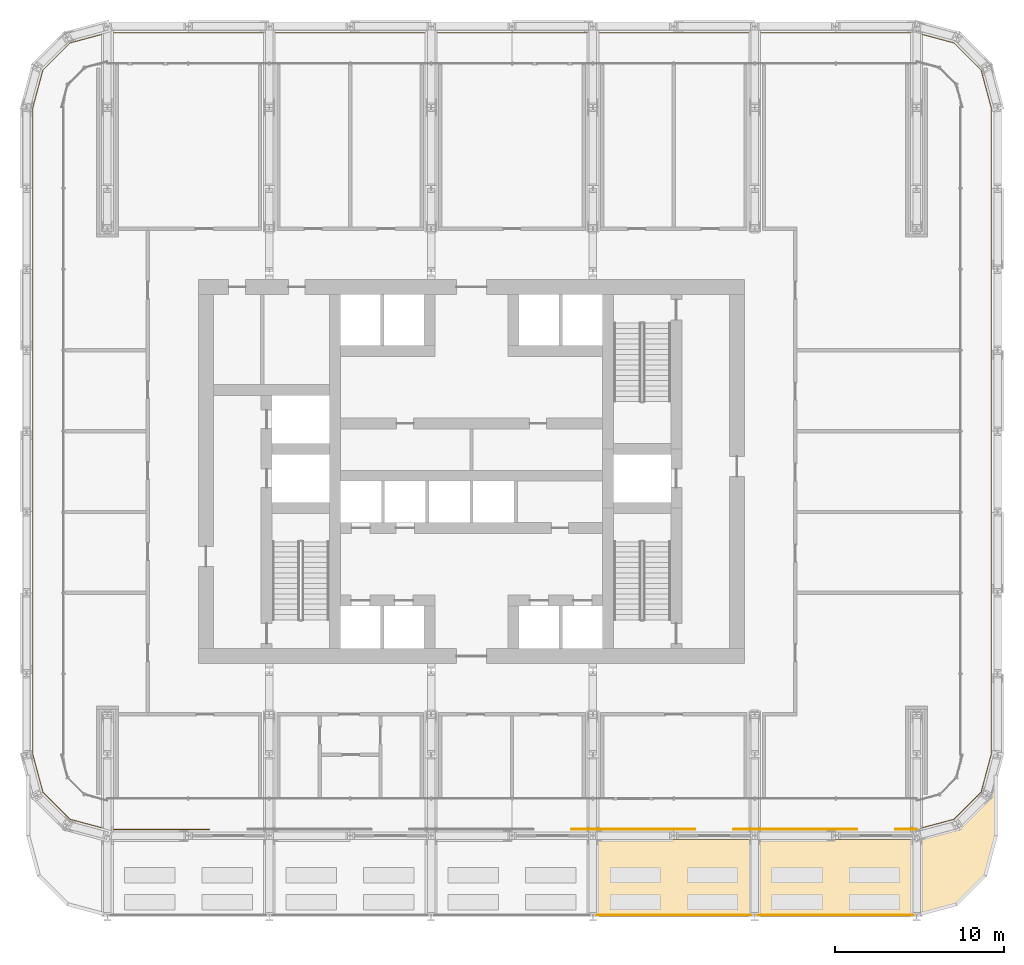
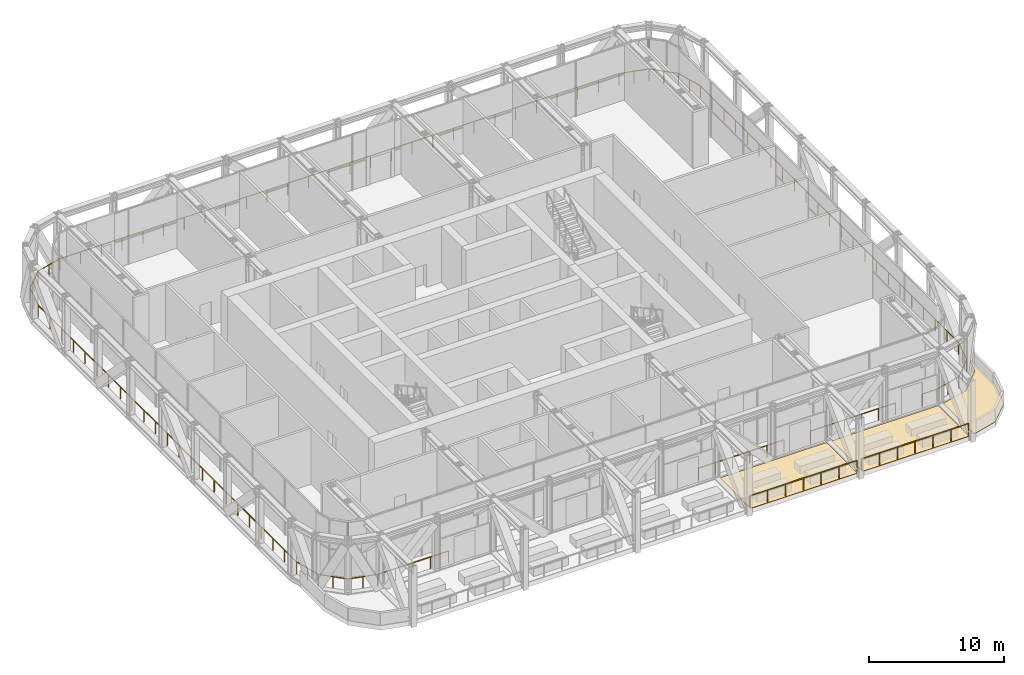
# One storey, part 21 of 23: 6 railings, 3 coverings.
"""IFC4 building model written with IfcOpenShell, lengths in metres."""

from ifc_helpers import new_model, si_unit, direction, frame, origin, origin_2d, place, context, subcontext, project, spatial, polyline, circle, outline, extrude, material, layer, layer_set, type_object, element, save


model = new_model("IFC4")

# Units and contexts
model_context = context("Model", 3, precision=1e-05, world=origin(), true_north=direction((0.0, 1.0)))
body_context = subcontext(model_context, "Body", "Model", "MODEL_VIEW")
ifc_project = project(units=[si_unit("LENGTHUNIT", "METRE"), si_unit("AREAUNIT", "SQUARE_METRE"), si_unit("VOLUMEUNIT", "CUBIC_METRE"), si_unit("PLANEANGLEUNIT", "RADIAN"), si_unit("MASSUNIT", "GRAM", prefix="KILO")], contexts=[model_context])

# Site, building, storey
site_placement = place(None, origin())
site = spatial("IfcSite", under=ifc_project, at=site_placement, CompositionType="ELEMENT")
building_placement = place(site_placement, origin())
building = spatial("IfcBuilding", under=site, at=building_placement, Name="Madar Terraces", CompositionType="ELEMENT")
storey_placement = place(building_placement, frame((0.0, 0.0, 83.800048828125)))
storey = spatial("IfcBuildingStorey", under=building, at=storey_placement, Name="L21", CompositionType="ELEMENT", Elevation=83.800048828125)

# Railings
ifc_material_1 = material(Name="Glass, safety glazing, with stainless steel posts", Category="steel")
railing_type = type_object("IfcRailingType", Name="Balcony glass guard 1100", PredefinedType="GUARDRAIL", material=ifc_material_1)
railing_1_placement = place(storey_placement, frame((57.60009765625, 5.1748046875, 0.0)))
element("IfcRailing", 1, at=railing_1_placement, inside=storey, type_object=railing_type, Name="Gallery guard", PredefinedType="GUARDRAIL", context=body_context, shape_type="SweptSolid", body=[
    extrude(circle(Radius=0.02392578125, at=origin_2d()), frame((0.0, 0.0, 1.076171875), z_axis=(0.96592997208, 0.258803572303, 0.0), x_axis=(-0.258803572303, 0.96592997208, 0.0)), (0.0, 0.0, 1.0), 2.29052734375),
    extrude(circle(Radius=0.02392578125, at=origin_2d()), frame((2.21240234375, 0.5927734375, 1.076171875), z_axis=(0.707106781187, 0.707106781187, 0.0), x_axis=(-0.707106781187, 0.707106781187, 0.0)), (0.0, 0.0, 1.0), 2.290771484375),
    extrude(circle(Radius=0.02392578125, at=origin_2d()), frame((3.832275390625, 2.212646484375, 1.076171875), z_axis=(0.258776928612, 0.965937110385, 0.0), x_axis=(-0.965937110385, 0.258776928612, 0.0)), (0.0, 0.0, 1.0), 2.290771484375),
    extrude(circle(Radius=0.02392578125, at=origin_2d()), frame((4.425048828125, 4.42529296875, 1.076171875), z_axis=(0.0, 1.0, 0.0), x_axis=(-1.0, 0.0, 0.0)), (0.0, 0.0, 1.0), 38.39990234375),
    extrude(circle(Radius=0.02392578125, at=origin_2d()), frame((4.425048828125, 42.8251953125, 1.076171875), z_axis=(-0.258776928612, 0.965937110385, 0.0), x_axis=(-0.965937110385, -0.258776928612, 0.0)), (0.0, 0.0, 1.0), 2.290771484375),
    extrude(circle(Radius=0.02392578125, at=origin_2d()), frame((3.832275390625, 45.037841796875, 1.076171875), z_axis=(-0.707160069312, 0.707053489045, 0.0), x_axis=(-0.707053489045, -0.707160069312, 0.0)), (0.0, 0.0, 1.0), 2.290771484375),
    extrude(circle(Radius=0.02392578125, at=origin_2d()), frame((2.21240234375, 46.657470703125, 1.076171875), z_axis=(-0.96590332136, 0.258903020038, 0.0), x_axis=(-0.258903020038, -0.96590332136, 0.0)), (0.0, 0.0, 1.0), 2.29052734375),
    extrude(circle(Radius=0.02392578125, at=origin_2d()), frame((0.0, 47.25048828125, 1.076171875), z_axis=(-1.0, 0.0, 0.0), x_axis=(0.0, -1.0, 0.0)), (0.0, 0.0, 1.0), 48.0),
    extrude(circle(Radius=0.02392578125, at=origin_2d()), frame((-48.0, 47.25048828125, 1.076171875), z_axis=(-0.965910464955, -0.25887636758, 0.0), x_axis=(0.25887636758, -0.965910464955, 0.0)), (0.0, 0.0, 1.0), 2.290771484375),
    extrude(circle(Radius=0.02392578125, at=origin_2d()), frame((-50.212646484375, 46.657470703125, 1.076171875), z_axis=(-0.707160069312, -0.707053489045, 0.0), x_axis=(0.707053489045, -0.707160069312, 0.0)), (0.0, 0.0, 1.0), 2.290771484375),
    extrude(circle(Radius=0.02392578125, at=origin_2d()), frame((-51.83251953125, 45.037841796875, 1.076171875), z_axis=(-0.258776928612, -0.965937110385, 0.0), x_axis=(0.965937110385, -0.258776928612, 0.0)), (0.0, 0.0, 1.0), 2.290771484375),
    extrude(circle(Radius=0.02392578125, at=origin_2d()), frame((-52.42529296875, 42.8251953125, 1.076171875), z_axis=(0.0, -1.0, 0.0), x_axis=(1.0, 0.0, 0.0)), (0.0, 0.0, 1.0), 38.39990234375),
    extrude(circle(Radius=0.02392578125, at=origin_2d()), frame((-52.42529296875, 4.42529296875, 1.076171875), z_axis=(0.258776928612, -0.965937110385, 0.0), x_axis=(0.965937110385, 0.258776928612, 0.0)), (0.0, 0.0, 1.0), 2.290771484375),
    extrude(circle(Radius=0.02392578125, at=origin_2d()), frame((-51.83251953125, 2.212646484375, 1.076171875), z_axis=(0.707106781187, -0.707106781187, 0.0), x_axis=(0.707106781187, 0.707106781187, 0.0)), (0.0, 0.0, 1.0), 2.290771484375),
    extrude(circle(Radius=0.02392578125, at=origin_2d()), frame((-50.212646484375, 0.5927734375, 1.076171875), z_axis=(0.965937110385, -0.258776928612, 0.0), x_axis=(0.258776928612, 0.965937110385, 0.0)), (0.0, 0.0, 1.0), 2.290771484375),
    extrude(circle(Radius=0.02392578125, at=origin_2d()), frame((-48.0, 0.0, 1.076171875), z_axis=(1.0, 0.0, 0.0), x_axis=(0.0, 1.0, 0.0)), (0.0, 0.0, 1.0), 6.06103515625),
    extrude(circle(Radius=0.02099609375, at=origin_2d()), origin(), (0.0, 0.0, 1.0), 1.052001953125),
    extrude(circle(Radius=0.02099609375, at=origin_2d()), frame((1.106201171875, 0.29638671875, 0.0)), (0.0, 0.0, 1.0), 1.052001953125),
    extrude(circle(Radius=0.02099609375, at=origin_2d()), frame((2.21240234375, 0.5927734375, 0.0)), (0.0, 0.0, 1.0), 1.052001953125),
    extrude(circle(Radius=0.02099609375, at=origin_2d()), frame((3.0224609375, 1.40283203125, 0.0)), (0.0, 0.0, 1.0), 1.052001953125),
    extrude(circle(Radius=0.02099609375, at=origin_2d()), frame((3.832275390625, 2.212646484375, 0.0)), (0.0, 0.0, 1.0), 1.052001953125),
    extrude(circle(Radius=0.02099609375, at=origin_2d()), frame((4.128662109375, 3.31884765625, 0.0)), (0.0, 0.0, 1.0), 1.052001953125),
    extrude(circle(Radius=0.02099609375, at=origin_2d()), frame((4.425048828125, 4.42529296875, 0.0)), (0.0, 0.0, 1.0), 1.052001953125),
    extrude(circle(Radius=0.02099609375, at=origin_2d()), frame((4.425048828125, 6.170654296875, 0.0)), (0.0, 0.0, 1.0), 1.052001953125),
    extrude(circle(Radius=0.02099609375, at=origin_2d()), frame((4.425048828125, 7.916259765625, 0.0)), (0.0, 0.0, 1.0), 1.052001953125),
    extrude(circle(Radius=0.02099609375, at=origin_2d()), frame((4.425048828125, 9.66162109375, 0.0)), (0.0, 0.0, 1.0), 1.052001953125),
    extrude(circle(Radius=0.02099609375, at=origin_2d()), frame((4.425048828125, 11.406982421875, 0.0)), (0.0, 0.0, 1.0), 1.052001953125),
    extrude(circle(Radius=0.02099609375, at=origin_2d()), frame((4.425048828125, 13.152587890625, 0.0)), (0.0, 0.0, 1.0), 1.052001953125),
    extrude(circle(Radius=0.02099609375, at=origin_2d()), frame((4.425048828125, 14.89794921875, 0.0)), (0.0, 0.0, 1.0), 1.052001953125),
    extrude(circle(Radius=0.02099609375, at=origin_2d()), frame((4.425048828125, 16.6435546875, 0.0)), (0.0, 0.0, 1.0), 1.052001953125),
    extrude(circle(Radius=0.02099609375, at=origin_2d()), frame((4.425048828125, 18.388916015625, 0.0)), (0.0, 0.0, 1.0), 1.052001953125),
    extrude(circle(Radius=0.02099609375, at=origin_2d()), frame((4.425048828125, 20.13427734375, 0.0)), (0.0, 0.0, 1.0), 1.052001953125),
    extrude(circle(Radius=0.02099609375, at=origin_2d()), frame((4.425048828125, 21.8798828125, 0.0)), (0.0, 0.0, 1.0), 1.052001953125),
    extrude(circle(Radius=0.02099609375, at=origin_2d()), frame((4.425048828125, 23.625244140625, 0.0)), (0.0, 0.0, 1.0), 1.052001953125),
    extrude(circle(Radius=0.02099609375, at=origin_2d()), frame((4.425048828125, 25.37060546875, 0.0)), (0.0, 0.0, 1.0), 1.052001953125),
    extrude(circle(Radius=0.02099609375, at=origin_2d()), frame((4.425048828125, 27.1162109375, 0.0)), (0.0, 0.0, 1.0), 1.052001953125),
    extrude(circle(Radius=0.02099609375, at=origin_2d()), frame((4.425048828125, 28.861572265625, 0.0)), (0.0, 0.0, 1.0), 1.052001953125),
    extrude(circle(Radius=0.02099609375, at=origin_2d()), frame((4.425048828125, 30.60693359375, 0.0)), (0.0, 0.0, 1.0), 1.052001953125),
    extrude(circle(Radius=0.02099609375, at=origin_2d()), frame((4.425048828125, 32.3525390625, 0.0)), (0.0, 0.0, 1.0), 1.052001953125),
    extrude(circle(Radius=0.02099609375, at=origin_2d()), frame((4.425048828125, 34.097900390625, 0.0)), (0.0, 0.0, 1.0), 1.052001953125),
    extrude(circle(Radius=0.02099609375, at=origin_2d()), frame((4.425048828125, 35.843505859375, 0.0)), (0.0, 0.0, 1.0), 1.052001953125),
    extrude(circle(Radius=0.02099609375, at=origin_2d()), frame((4.425048828125, 37.5888671875, 0.0)), (0.0, 0.0, 1.0), 1.052001953125),
    extrude(circle(Radius=0.02099609375, at=origin_2d()), frame((4.425048828125, 39.334228515625, 0.0)), (0.0, 0.0, 1.0), 1.052001953125),
    extrude(circle(Radius=0.02099609375, at=origin_2d()), frame((4.425048828125, 41.079833984375, 0.0)), (0.0, 0.0, 1.0), 1.052001953125),
    extrude(circle(Radius=0.02099609375, at=origin_2d()), frame((4.425048828125, 42.8251953125, 0.0)), (0.0, 0.0, 1.0), 1.052001953125),
    extrude(circle(Radius=0.02099609375, at=origin_2d()), frame((4.128662109375, 43.931640625, 0.0)), (0.0, 0.0, 1.0), 1.052001953125),
    extrude(circle(Radius=0.02099609375, at=origin_2d()), frame((3.832275390625, 45.037841796875, 0.0)), (0.0, 0.0, 1.0), 1.052001953125),
    extrude(circle(Radius=0.02099609375, at=origin_2d()), frame((3.0224609375, 45.84765625, 0.0)), (0.0, 0.0, 1.0), 1.052001953125),
    extrude(circle(Radius=0.02099609375, at=origin_2d()), frame((2.21240234375, 46.657470703125, 0.0)), (0.0, 0.0, 1.0), 1.052001953125),
    extrude(circle(Radius=0.02099609375, at=origin_2d()), frame((1.106201171875, 46.9541015625, 0.0)), (0.0, 0.0, 1.0), 1.052001953125),
    extrude(circle(Radius=0.02099609375, at=origin_2d()), frame((0.0, 47.25048828125, 0.0)), (0.0, 0.0, 1.0), 1.052001953125),
    extrude(circle(Radius=0.02099609375, at=origin_2d()), frame((-1.77783203125, 47.25048828125, 0.0)), (0.0, 0.0, 1.0), 1.052001953125),
    extrude(circle(Radius=0.02099609375, at=origin_2d()), frame((-3.5556640625, 47.25048828125, 0.0)), (0.0, 0.0, 1.0), 1.052001953125),
    extrude(circle(Radius=0.02099609375, at=origin_2d()), frame((-5.333251953125, 47.25048828125, 0.0)), (0.0, 0.0, 1.0), 1.052001953125),
    extrude(circle(Radius=0.02099609375, at=origin_2d()), frame((-7.111083984375, 47.25048828125, 0.0)), (0.0, 0.0, 1.0), 1.052001953125),
    extrude(circle(Radius=0.02099609375, at=origin_2d()), frame((-8.888916015625, 47.25048828125, 0.0)), (0.0, 0.0, 1.0), 1.052001953125),
    extrude(circle(Radius=0.02099609375, at=origin_2d()), frame((-10.666748046875, 47.25048828125, 0.0)), (0.0, 0.0, 1.0), 1.052001953125),
    extrude(circle(Radius=0.02099609375, at=origin_2d()), frame((-12.4443359375, 47.25048828125, 0.0)), (0.0, 0.0, 1.0), 1.052001953125),
    extrude(circle(Radius=0.02099609375, at=origin_2d()), frame((-14.22216796875, 47.25048828125, 0.0)), (0.0, 0.0, 1.0), 1.052001953125),
    extrude(circle(Radius=0.02099609375, at=origin_2d()), frame((-16.0, 47.25048828125, 0.0)), (0.0, 0.0, 1.0), 1.052001953125),
    extrude(circle(Radius=0.02099609375, at=origin_2d()), frame((-17.77783203125, 47.25048828125, 0.0)), (0.0, 0.0, 1.0), 1.052001953125),
    extrude(circle(Radius=0.02099609375, at=origin_2d()), frame((-19.5556640625, 47.25048828125, 0.0)), (0.0, 0.0, 1.0), 1.052001953125),
    extrude(circle(Radius=0.02099609375, at=origin_2d()), frame((-21.333251953125, 47.25048828125, 0.0)), (0.0, 0.0, 1.0), 1.052001953125),
    extrude(circle(Radius=0.02099609375, at=origin_2d()), frame((-23.111083984375, 47.25048828125, 0.0)), (0.0, 0.0, 1.0), 1.052001953125),
    extrude(circle(Radius=0.02099609375, at=origin_2d()), frame((-24.888916015625, 47.25048828125, 0.0)), (0.0, 0.0, 1.0), 1.052001953125),
    extrude(circle(Radius=0.02099609375, at=origin_2d()), frame((-26.666748046875, 47.25048828125, 0.0)), (0.0, 0.0, 1.0), 1.052001953125),
    extrude(circle(Radius=0.02099609375, at=origin_2d()), frame((-28.4443359375, 47.25048828125, 0.0)), (0.0, 0.0, 1.0), 1.052001953125),
    extrude(circle(Radius=0.02099609375, at=origin_2d()), frame((-30.22216796875, 47.25048828125, 0.0)), (0.0, 0.0, 1.0), 1.052001953125),
    extrude(circle(Radius=0.02099609375, at=origin_2d()), frame((-32.0, 47.25048828125, 0.0)), (0.0, 0.0, 1.0), 1.052001953125),
    extrude(circle(Radius=0.02099609375, at=origin_2d()), frame((-33.77783203125, 47.25048828125, 0.0)), (0.0, 0.0, 1.0), 1.052001953125),
    extrude(circle(Radius=0.02099609375, at=origin_2d()), frame((-35.5556640625, 47.25048828125, 0.0)), (0.0, 0.0, 1.0), 1.052001953125),
    extrude(circle(Radius=0.02099609375, at=origin_2d()), frame((-37.333251953125, 47.25048828125, 0.0)), (0.0, 0.0, 1.0), 1.052001953125),
    extrude(circle(Radius=0.02099609375, at=origin_2d()), frame((-39.111083984375, 47.25048828125, 0.0)), (0.0, 0.0, 1.0), 1.052001953125),
    extrude(circle(Radius=0.02099609375, at=origin_2d()), frame((-40.888916015625, 47.25048828125, 0.0)), (0.0, 0.0, 1.0), 1.052001953125),
    extrude(circle(Radius=0.02099609375, at=origin_2d()), frame((-42.666748046875, 47.25048828125, 0.0)), (0.0, 0.0, 1.0), 1.052001953125),
    extrude(circle(Radius=0.02099609375, at=origin_2d()), frame((-44.4443359375, 47.25048828125, 0.0)), (0.0, 0.0, 1.0), 1.052001953125),
    extrude(circle(Radius=0.02099609375, at=origin_2d()), frame((-46.22216796875, 47.25048828125, 0.0)), (0.0, 0.0, 1.0), 1.052001953125),
    extrude(circle(Radius=0.02099609375, at=origin_2d()), frame((-48.0, 47.25048828125, 0.0)), (0.0, 0.0, 1.0), 1.052001953125),
    extrude(circle(Radius=0.02099609375, at=origin_2d()), frame((-49.1064453125, 46.9541015625, 0.0)), (0.0, 0.0, 1.0), 1.052001953125),
    extrude(circle(Radius=0.02099609375, at=origin_2d()), frame((-50.212646484375, 46.657470703125, 0.0)), (0.0, 0.0, 1.0), 1.052001953125),
    extrude(circle(Radius=0.02099609375, at=origin_2d()), frame((-51.0224609375, 45.84765625, 0.0)), (0.0, 0.0, 1.0), 1.052001953125),
    extrude(circle(Radius=0.02099609375, at=origin_2d()), frame((-51.83251953125, 45.037841796875, 0.0)), (0.0, 0.0, 1.0), 1.052001953125),
    extrude(circle(Radius=0.02099609375, at=origin_2d()), frame((-52.12890625, 43.931640625, 0.0)), (0.0, 0.0, 1.0), 1.052001953125),
    extrude(circle(Radius=0.02099609375, at=origin_2d()), frame((-52.42529296875, 42.8251953125, 0.0)), (0.0, 0.0, 1.0), 1.052001953125),
    extrude(circle(Radius=0.02099609375, at=origin_2d()), frame((-52.42529296875, 41.079833984375, 0.0)), (0.0, 0.0, 1.0), 1.052001953125),
    extrude(circle(Radius=0.02099609375, at=origin_2d()), frame((-52.42529296875, 39.334228515625, 0.0)), (0.0, 0.0, 1.0), 1.052001953125),
    extrude(circle(Radius=0.02099609375, at=origin_2d()), frame((-52.42529296875, 37.5888671875, 0.0)), (0.0, 0.0, 1.0), 1.052001953125),
    extrude(circle(Radius=0.02099609375, at=origin_2d()), frame((-52.42529296875, 35.843505859375, 0.0)), (0.0, 0.0, 1.0), 1.052001953125),
    extrude(circle(Radius=0.02099609375, at=origin_2d()), frame((-52.42529296875, 34.097900390625, 0.0)), (0.0, 0.0, 1.0), 1.052001953125),
    extrude(circle(Radius=0.02099609375, at=origin_2d()), frame((-52.42529296875, 32.3525390625, 0.0)), (0.0, 0.0, 1.0), 1.052001953125),
    extrude(circle(Radius=0.02099609375, at=origin_2d()), frame((-52.42529296875, 30.60693359375, 0.0)), (0.0, 0.0, 1.0), 1.052001953125),
    extrude(circle(Radius=0.02099609375, at=origin_2d()), frame((-52.42529296875, 28.861572265625, 0.0)), (0.0, 0.0, 1.0), 1.052001953125),
    extrude(circle(Radius=0.02099609375, at=origin_2d()), frame((-52.42529296875, 27.1162109375, 0.0)), (0.0, 0.0, 1.0), 1.052001953125),
    extrude(circle(Radius=0.02099609375, at=origin_2d()), frame((-52.42529296875, 25.37060546875, 0.0)), (0.0, 0.0, 1.0), 1.052001953125),
    extrude(circle(Radius=0.02099609375, at=origin_2d()), frame((-52.42529296875, 23.625244140625, 0.0)), (0.0, 0.0, 1.0), 1.052001953125),
    extrude(circle(Radius=0.02099609375, at=origin_2d()), frame((-52.42529296875, 21.8798828125, 0.0)), (0.0, 0.0, 1.0), 1.052001953125),
    extrude(circle(Radius=0.02099609375, at=origin_2d()), frame((-52.42529296875, 20.13427734375, 0.0)), (0.0, 0.0, 1.0), 1.052001953125),
    extrude(circle(Radius=0.02099609375, at=origin_2d()), frame((-52.42529296875, 18.388916015625, 0.0)), (0.0, 0.0, 1.0), 1.052001953125),
    extrude(circle(Radius=0.02099609375, at=origin_2d()), frame((-52.42529296875, 16.6435546875, 0.0)), (0.0, 0.0, 1.0), 1.052001953125),
    extrude(circle(Radius=0.02099609375, at=origin_2d()), frame((-52.42529296875, 14.89794921875, 0.0)), (0.0, 0.0, 1.0), 1.052001953125),
    extrude(circle(Radius=0.02099609375, at=origin_2d()), frame((-52.42529296875, 13.152587890625, 0.0)), (0.0, 0.0, 1.0), 1.052001953125),
    extrude(circle(Radius=0.02099609375, at=origin_2d()), frame((-52.42529296875, 11.406982421875, 0.0)), (0.0, 0.0, 1.0), 1.052001953125),
    extrude(circle(Radius=0.02099609375, at=origin_2d()), frame((-52.42529296875, 9.66162109375, 0.0)), (0.0, 0.0, 1.0), 1.052001953125),
    extrude(circle(Radius=0.02099609375, at=origin_2d()), frame((-52.42529296875, 7.916259765625, 0.0)), (0.0, 0.0, 1.0), 1.052001953125),
    extrude(circle(Radius=0.02099609375, at=origin_2d()), frame((-52.42529296875, 6.170654296875, 0.0)), (0.0, 0.0, 1.0), 1.052001953125),
    extrude(circle(Radius=0.02099609375, at=origin_2d()), frame((-52.42529296875, 4.42529296875, 0.0)), (0.0, 0.0, 1.0), 1.052001953125),
    extrude(circle(Radius=0.02099609375, at=origin_2d()), frame((-52.12890625, 3.31884765625, 0.0)), (0.0, 0.0, 1.0), 1.052001953125),
    extrude(circle(Radius=0.02099609375, at=origin_2d()), frame((-51.83251953125, 2.212646484375, 0.0)), (0.0, 0.0, 1.0), 1.052001953125),
    extrude(circle(Radius=0.02099609375, at=origin_2d()), frame((-51.0224609375, 1.40283203125, 0.0)), (0.0, 0.0, 1.0), 1.052001953125),
    extrude(circle(Radius=0.02099609375, at=origin_2d()), frame((-50.212646484375, 0.5927734375, 0.0)), (0.0, 0.0, 1.0), 1.052001953125),
    extrude(circle(Radius=0.02099609375, at=origin_2d()), frame((-49.1064453125, 0.29638671875, 0.0)), (0.0, 0.0, 1.0), 1.052001953125),
    extrude(circle(Radius=0.02099609375, at=origin_2d()), frame((-48.0, 0.0, 0.0)), (0.0, 0.0, 1.0), 1.052001953125),
    extrude(circle(Radius=0.02099609375, at=origin_2d()), frame((-46.48486328125, 0.0, 0.0)), (0.0, 0.0, 1.0), 1.052001953125),
    extrude(circle(Radius=0.02099609375, at=origin_2d()), frame((-44.969482421875, 0.0, 0.0)), (0.0, 0.0, 1.0), 1.052001953125),
    extrude(circle(Radius=0.02099609375, at=origin_2d()), frame((-43.4541015625, 0.0, 0.0)), (0.0, 0.0, 1.0), 1.052001953125),
    extrude(circle(Radius=0.02099609375, at=origin_2d()), frame((-41.93896484375, 0.0, 0.0)), (0.0, 0.0, 1.0), 1.052001953125),
])
railing_2_placement = place(storey_placement, frame((37.138916015625, 5.1748046875, 0.0)))
element("IfcRailing", 2, at=railing_2_placement, inside=storey, type_object=railing_type, Name="Gallery guard", PredefinedType="GUARDRAIL", context=body_context, shape_type="SweptSolid", body=[
    extrude(circle(Radius=0.02392578125, at=origin_2d()), frame((0.0, 0.0, 1.076171875), z_axis=(1.0, 0.0, 0.0), x_axis=(0.0, 1.0, 0.0)), (0.0, 0.0, 1.0), 7.322265625),
    extrude(circle(Radius=0.02099609375, at=origin_2d()), origin(), (0.0, 0.0, 1.0), 1.052001953125),
    extrude(circle(Radius=0.02099609375, at=origin_2d()), frame((1.46435546875, 0.0, 0.0)), (0.0, 0.0, 1.0), 1.052001953125),
    extrude(circle(Radius=0.02099609375, at=origin_2d()), frame((2.928955078125, 0.0, 0.0)), (0.0, 0.0, 1.0), 1.052001953125),
    extrude(circle(Radius=0.02099609375, at=origin_2d()), frame((4.393310546875, 0.0, 0.0)), (0.0, 0.0, 1.0), 1.052001953125),
    extrude(circle(Radius=0.02099609375, at=origin_2d()), frame((5.85791015625, 0.0, 0.0)), (0.0, 0.0, 1.0), 1.052001953125),
    extrude(circle(Radius=0.02099609375, at=origin_2d()), frame((7.322265625, 0.0, 0.0)), (0.0, 0.0, 1.0), 1.052001953125),
])
railing_3_placement = place(storey_placement, frame((46.739013671875, 5.1748046875, 0.0)))
element("IfcRailing", 3, at=railing_3_placement, inside=storey, type_object=railing_type, Name="Gallery guard", PredefinedType="GUARDRAIL", context=body_context, shape_type="SweptSolid", body=[
    extrude(circle(Radius=0.02392578125, at=origin_2d()), frame((0.0, 0.0, 1.076171875), z_axis=(1.0, 0.0, 0.0), x_axis=(0.0, 1.0, 0.0)), (0.0, 0.0, 1.0), 7.322021484375),
    extrude(circle(Radius=0.02099609375, at=origin_2d()), origin(), (0.0, 0.0, 1.0), 1.052001953125),
    extrude(circle(Radius=0.02099609375, at=origin_2d()), frame((1.46435546875, 0.0, 0.0)), (0.0, 0.0, 1.0), 1.052001953125),
    extrude(circle(Radius=0.02099609375, at=origin_2d()), frame((2.9287109375, 0.0, 0.0)), (0.0, 0.0, 1.0), 1.052001953125),
    extrude(circle(Radius=0.02099609375, at=origin_2d()), frame((4.393310546875, 0.0, 0.0)), (0.0, 0.0, 1.0), 1.052001953125),
    extrude(circle(Radius=0.02099609375, at=origin_2d()), frame((5.857666015625, 0.0, 0.0)), (0.0, 0.0, 1.0), 1.052001953125),
    extrude(circle(Radius=0.02099609375, at=origin_2d()), frame((7.322021484375, 0.0, 0.0)), (0.0, 0.0, 1.0), 1.052001953125),
])
railing_4_placement = place(storey_placement, frame((56.3388671875, 5.1748046875, 0.0)))
element("IfcRailing", 4, at=railing_4_placement, inside=storey, type_object=railing_type, Name="Gallery guard", PredefinedType="GUARDRAIL", context=body_context, shape_type="SweptSolid", body=[
    extrude(circle(Radius=0.02392578125, at=origin_2d()), frame((0.0, 0.0, 1.076171875), z_axis=(1.0, 0.0, 0.0), x_axis=(0.0, 1.0, 0.0)), (0.0, 0.0, 1.0), 1.26123046875),
    extrude(circle(Radius=0.02099609375, at=origin_2d()), origin(), (0.0, 0.0, 1.0), 1.052001953125),
    extrude(circle(Radius=0.02099609375, at=origin_2d()), frame((1.26123046875, 0.0, 0.0)), (0.0, 0.0, 1.0), 1.052001953125),
])
for number, where, name in (
    (5, (38.604736328125, 0.10009765625, 0.0400390625), "Terrace guard"),
    (6, (48.204833984375, 0.10009765625, 0.0400390625), "Terrace guard"),
):
    element("IfcRailing", number, at=place(storey_placement, frame(where)), inside=storey, type_object=railing_type, Name=name, PredefinedType="GUARDRAIL", context=body_context, shape_type="SweptSolid", body=[
        extrude(circle(Radius=0.02392578125, at=origin_2d()), frame((0.0, 0.0, 1.076171875), z_axis=(1.0, 0.0, 0.0), x_axis=(0.0, 1.0, 0.0)), (0.0, 0.0, 1.0), 9.1904296875),
        extrude(circle(Radius=0.02099609375, at=origin_2d()), origin(), (0.0, 0.0, 1.0), 1.052001953125),
        extrude(circle(Radius=0.02099609375, at=origin_2d()), frame((1.53173828125, 0.0, 0.0)), (0.0, 0.0, 1.0), 1.052001953125),
        extrude(circle(Radius=0.02099609375, at=origin_2d()), frame((3.0634765625, 0.0, 0.0)), (0.0, 0.0, 1.0), 1.052001953125),
        extrude(circle(Radius=0.02099609375, at=origin_2d()), frame((4.59521484375, 0.0, 0.0)), (0.0, 0.0, 1.0), 1.052001953125),
        extrude(circle(Radius=0.02099609375, at=origin_2d()), frame((6.126953125, 0.0, 0.0)), (0.0, 0.0, 1.0), 1.052001953125),
        extrude(circle(Radius=0.02099609375, at=origin_2d()), frame((7.65869140625, 0.0, 0.0)), (0.0, 0.0, 1.0), 1.052001953125),
        extrude(circle(Radius=0.02099609375, at=origin_2d()), frame((9.1904296875, 0.0, 0.0)), (0.0, 0.0, 1.0), 1.052001953125),
    ])

# Coverings
ifc_material_2 = material(Name="Porcelain paving slabs on pedestals")
ifc_layer = layer(ifc_material_2, 0.0400390625)
ifc_layer_set = layer_set([ifc_layer], Name="Terrace paving 40")
covering_type = type_object("IfcCoveringType", Name="Terrace paving 40", PredefinedType="FLOORING", material=ifc_layer_set)
covering_1_placement = place(storey_placement, origin())
element("IfcCovering", 7, at=covering_1_placement, inside=storey, type_object=covering_type, Name="Terrace paving", PredefinedType="FLOORING", context=body_context, shape_type="SweptSolid", body=[
    extrude(outline(polyline([(38.660400390625, 0.002197265625), (38.65576171875, 0.00390625), (38.651123046875, 0.005859375), (38.64697265625, 0.00830078125), (38.64306640625, 0.01123046875), (38.639404296875, 0.0146484375), (38.635986328125, 0.018310546875), (38.63330078125, 0.022216796875), (38.630615234375, 0.0263671875), (38.628662109375, 0.031005859375), (38.626953125, 0.035400390625), (38.625732421875, 0.040283203125), (38.625, 0.045166015625), (38.624755859375, 0.050048828125), (38.624755859375, 4.525146484375), (38.625, 4.530029296875), (38.625732421875, 4.534912109375), (38.626953125, 4.539794921875), (38.628662109375, 4.544189453125), (38.630615234375, 4.548828125), (38.63330078125, 4.552978515625), (38.635986328125, 4.556884765625), (38.639404296875, 4.560546875), (38.64306640625, 4.56396484375), (38.64697265625, 4.56689453125), (38.651123046875, 4.5693359375), (38.65576171875, 4.5712890625), (38.660400390625, 4.572998046875), (38.6650390625, 4.57421875), (38.669921875, 4.574951171875), (38.6748046875, 4.5751953125), (47.72509765625, 4.5751953125), (47.72998046875, 4.574951171875), (47.735107421875, 4.57421875), (47.73974609375, 4.572998046875), (47.744384765625, 4.5712890625), (47.748779296875, 4.5693359375), (47.7529296875, 4.56689453125), (47.7568359375, 4.56396484375), (47.760498046875, 4.560546875), (47.763916015625, 4.556884765625), (47.766845703125, 4.552978515625), (47.769287109375, 4.548828125), (47.771484375, 4.544189453125), (47.773193359375, 4.539794921875), (47.774169921875, 4.534912109375), (47.77490234375, 4.530029296875), (47.775146484375, 4.525146484375), (47.775146484375, 0.050048828125), (47.77490234375, 0.045166015625), (47.774169921875, 0.040283203125), (47.773193359375, 0.035400390625), (47.771484375, 0.031005859375), (47.769287109375, 0.0263671875), (47.766845703125, 0.022216796875), (47.763916015625, 0.018310546875), (47.760498046875, 0.0146484375), (47.7568359375, 0.01123046875), (47.7529296875, 0.00830078125), (47.748779296875, 0.005859375), (47.744384765625, 0.00390625), (47.73974609375, 0.002197265625), (47.735107421875, 0.0009765625), (47.72998046875, 0.000244140625), (47.72509765625, 0.0), (38.6748046875, 0.0), (38.669921875, 0.000244140625), (38.6650390625, 0.0009765625), (38.660400390625, 0.002197265625)])), origin(), (0.0, 0.0, 1.0), 0.0400390625),
])
covering_2_placement = place(storey_placement, origin())
element("IfcCovering", 8, at=covering_2_placement, inside=storey, type_object=covering_type, Name="Terrace paving", PredefinedType="FLOORING", context=body_context, shape_type="SweptSolid", body=[
    extrude(outline(polyline([(48.26025390625, 0.002197265625), (48.255615234375, 0.00390625), (48.251220703125, 0.005859375), (48.2470703125, 0.00830078125), (48.2431640625, 0.01123046875), (48.239501953125, 0.0146484375), (48.236083984375, 0.018310546875), (48.233154296875, 0.022216796875), (48.230712890625, 0.0263671875), (48.228515625, 0.031005859375), (48.226806640625, 0.035400390625), (48.225830078125, 0.040283203125), (48.22509765625, 0.045166015625), (48.224853515625, 0.050048828125), (48.224853515625, 4.525146484375), (48.22509765625, 4.530029296875), (48.225830078125, 4.534912109375), (48.226806640625, 4.539794921875), (48.228515625, 4.544189453125), (48.230712890625, 4.548828125), (48.233154296875, 4.552978515625), (48.236083984375, 4.556884765625), (48.239501953125, 4.560546875), (48.2431640625, 4.56396484375), (48.2470703125, 4.56689453125), (48.251220703125, 4.5693359375), (48.255615234375, 4.5712890625), (48.26025390625, 4.572998046875), (48.264892578125, 4.57421875), (48.27001953125, 4.574951171875), (48.27490234375, 4.5751953125), (57.3251953125, 4.5751953125), (57.330078125, 4.574951171875), (57.3349609375, 4.57421875), (57.339599609375, 4.572998046875), (57.34423828125, 4.5712890625), (57.348876953125, 4.5693359375), (57.35302734375, 4.56689453125), (57.35693359375, 4.56396484375), (57.360595703125, 4.560546875), (57.364013671875, 4.556884765625), (57.36669921875, 4.552978515625), (57.369384765625, 4.548828125), (57.371337890625, 4.544189453125), (57.373046875, 4.539794921875), (57.374267578125, 4.534912109375), (57.375, 4.530029296875), (57.375244140625, 4.525146484375), (57.375244140625, 0.050048828125), (57.375, 0.045166015625), (57.374267578125, 0.040283203125), (57.373046875, 0.035400390625), (57.371337890625, 0.031005859375), (57.369384765625, 0.0263671875), (57.36669921875, 0.022216796875), (57.364013671875, 0.018310546875), (57.360595703125, 0.0146484375), (57.35693359375, 0.01123046875), (57.35302734375, 0.00830078125), (57.348876953125, 0.005859375), (57.34423828125, 0.00390625), (57.339599609375, 0.002197265625), (57.3349609375, 0.0009765625), (57.330078125, 0.000244140625), (57.3251953125, 0.0), (48.27490234375, 0.0), (48.27001953125, 0.000244140625), (48.264892578125, 0.0009765625), (48.26025390625, 0.002197265625)])), origin(), (0.0, 0.0, 1.0), 0.0400390625),
])
covering_3_placement = place(storey_placement, origin())
element("IfcCovering", 9, at=covering_3_placement, inside=storey, type_object=covering_type, Name="Terrace paving", PredefinedType="FLOORING", context=body_context, shape_type="SweptSolid", body=[
    extrude(outline(polyline([(61.95849609375, 7.083740234375), (61.958740234375, 7.0849609375), (62.3017578125, 8.364501953125), (62.30322265625, 8.369384765625), (62.30517578125, 8.373779296875), (62.3076171875, 8.378173828125), (62.310546875, 8.38232421875), (62.313720703125, 8.385986328125), (62.3173828125, 8.389404296875), (62.3212890625, 8.392578125), (62.325439453125, 8.395263671875), (62.329833984375, 8.3974609375), (62.33447265625, 8.399169921875), (62.33935546875, 8.400390625), (62.343994140625, 8.4013671875), (62.34912109375, 8.401611328125), (62.35400390625, 8.401611328125), (62.35888671875, 8.40087890625), (62.36376953125, 8.399658203125), (62.368408203125, 8.398193359375), (62.373046875, 8.39599609375), (62.377197265625, 8.3935546875), (62.38134765625, 8.390625), (62.385009765625, 8.387451171875), (62.388427734375, 8.3837890625), (62.391357421875, 8.379638671875), (62.39404296875, 8.37548828125), (62.39599609375, 8.37109375), (62.397705078125, 8.366455078125), (62.39892578125, 8.361572265625), (62.39990234375, 8.356689453125), (62.39990234375, 8.351806640625), (62.39990234375, 4.806640625), (62.39990234375, 4.80224609375), (62.399169921875, 4.7978515625), (62.398193359375, 4.793701171875), (61.760498046875, 2.412841796875), (61.7587890625, 2.407958984375), (61.756591796875, 2.4033203125), (61.75390625, 2.398681640625), (61.7509765625, 2.394287109375), (61.747314453125, 2.390380859375), (60.009521484375, 0.652587890625), (60.005615234375, 0.64892578125), (60.00146484375, 0.64599609375), (59.996826171875, 0.643310546875), (59.991943359375, 0.64111328125), (59.987060546875, 0.6396484375), (57.8876953125, 0.0771484375), (57.883056640625, 0.076171875), (57.878173828125, 0.075439453125), (57.873291015625, 0.075439453125), (57.86865234375, 0.07568359375), (57.864013671875, 0.07666015625), (57.859130859375, 0.077880859375), (57.854736328125, 0.07958984375), (57.850341796875, 0.081787109375), (57.84619140625, 0.084228515625), (57.842529296875, 0.087158203125), (57.839111328125, 0.090576171875), (57.835693359375, 0.093994140625), (57.8330078125, 0.097900390625), (57.83056640625, 0.102294921875), (57.82861328125, 0.106689453125), (57.826904296875, 0.111083984375), (57.82568359375, 0.11572265625), (57.824951171875, 0.12060546875), (57.82470703125, 0.12548828125), (57.82470703125, 4.589111328125), (57.824951171875, 4.59423828125), (57.82568359375, 4.59912109375), (57.8271484375, 4.60400390625), (57.828857421875, 4.608642578125), (57.8310546875, 4.61328125), (57.83349609375, 4.617431640625), (57.836669921875, 4.62158203125), (57.840087890625, 4.625244140625), (57.843994140625, 4.62841796875), (57.84814453125, 4.63134765625), (57.8525390625, 4.6337890625), (57.857177734375, 4.635986328125), (57.86181640625, 4.637451171875), (60.114990234375, 5.2412109375), (60.1162109375, 5.24169921875), (60.1171875, 5.242431640625), (61.95751953125, 7.082763671875), (61.95849609375, 7.083740234375)])), origin(), (0.0, 0.0, 1.0), 0.0400390625),
])

save(model, "model.ifc")
